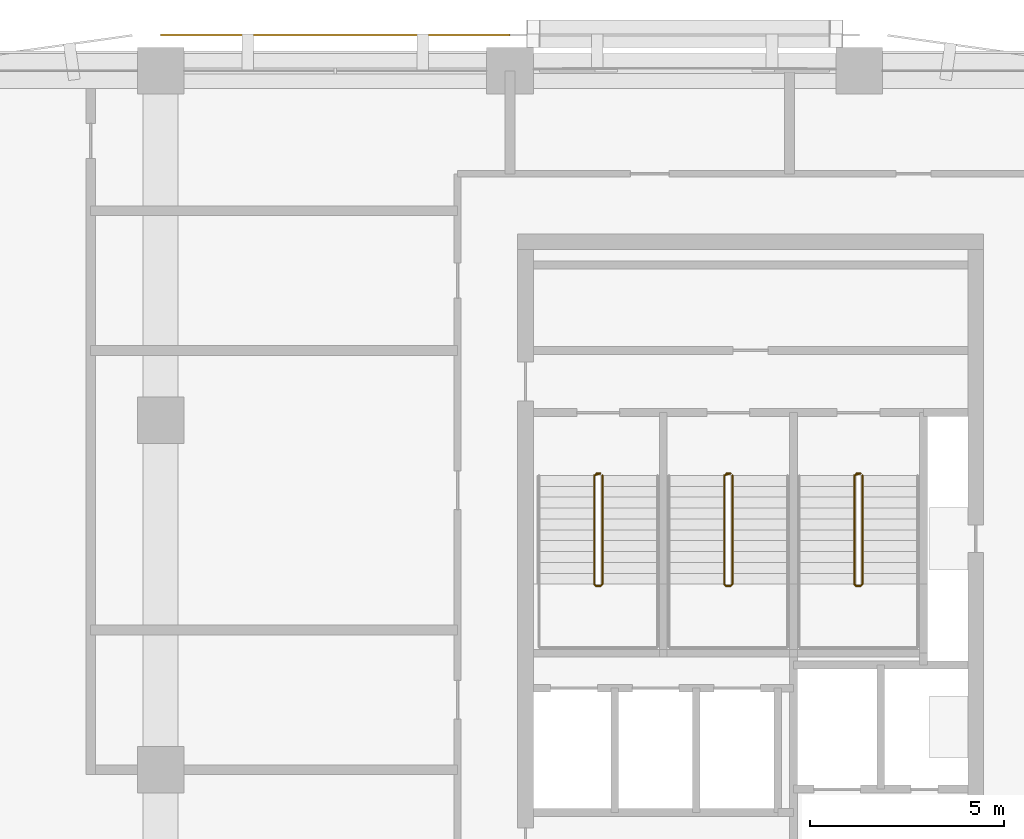
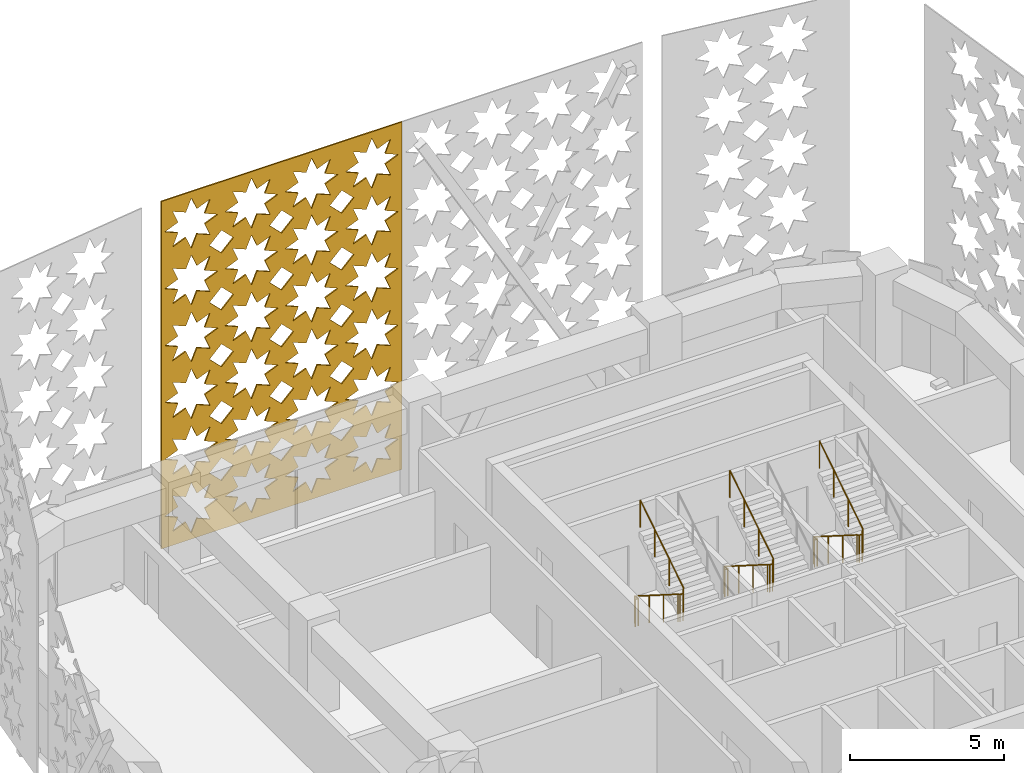
# One storey, part 14 of 17: 3 railings, 1 covering.
"""IFC4 building model written with IfcOpenShell, lengths in metres."""

from ifc_helpers import new_model, si_unit, direction, frame, origin, origin_2d, place, context, subcontext, project, spatial, polyline, circle, outline, extrude, material, layer, layer_set, type_object, element, save


model = new_model("IFC4")

# Units and contexts
model_context = context("Model", 3, precision=1e-05, world=origin(), true_north=direction((0.0, 1.0)))
body_context = subcontext(model_context, "Body", "Model", "MODEL_VIEW")
ifc_project = project(units=[si_unit("LENGTHUNIT", "METRE"), si_unit("AREAUNIT", "SQUARE_METRE"), si_unit("VOLUMEUNIT", "CUBIC_METRE"), si_unit("PLANEANGLEUNIT", "RADIAN"), si_unit("MASSUNIT", "GRAM", prefix="KILO")], contexts=[model_context])

# Site, building, storey
site_placement = place(None, origin())
site = spatial("IfcSite", under=ifc_project, at=site_placement, CompositionType="ELEMENT")
building_placement = place(site_placement, origin())
building = spatial("IfcBuilding", under=site, at=building_placement, Name="Tessera Arch", CompositionType="ELEMENT")
storey_placement = place(building_placement, frame((0.0, 0.0, 281.300048828125)))
storey = spatial("IfcBuildingStorey", under=building, at=storey_placement, Name="L68", CompositionType="ELEMENT", Elevation=281.300048828125)

# Covering
ifc_material_1 = material(Name="Anodised aluminium pale metal", Category="aluminium")
ifc_layer = layer(ifc_material_1, 0.050048828125)
ifc_layer_set = layer_set([ifc_layer], Name="Pierced screen panel straight bay")
covering_type = type_object("IfcCoveringType", Name="Pierced screen panel straight bay", PredefinedType="CLADDING", material=ifc_layer_set)
covering_placement = place(storey_placement, frame((36.0, 54.89990234375, 13.89990234375), z_axis=(0.0, -1.0, 0.0), x_axis=(-1.0, 0.0, 0.0)))
element("IfcCovering", 1, at=covering_placement, inside=storey, type_object=covering_type, Name="SCREEN pierced panel N54.18/2 L68-L70", PredefinedType="CLADDING", context=body_context, shape_type="SweptSolid", body=[
    extrude(outline(polyline([(0.0, 0.0), (9.0, 0.0), (9.0, 13.739990234375), (0.0, 13.739990234375), (0.0, 0.0)]), holes=[polyline([(2.114990234375, 12.494873046875), (1.6240234375, 12.287841796875), (1.824951171875, 11.794921875), (1.33203125, 11.995849609375), (1.125, 11.5048828125), (0.91796875, 11.995849609375), (0.425048828125, 11.794921875), (0.6259765625, 12.287841796875), (0.135009765625, 12.494873046875), (0.6259765625, 12.701904296875), (0.425048828125, 13.195068359375), (0.91796875, 12.993896484375), (1.125, 13.48486328125), (1.33203125, 12.993896484375), (1.824951171875, 13.195068359375), (1.6240234375, 12.701904296875), (2.114990234375, 12.494873046875)]), polyline([(2.114990234375, 10.244873046875), (1.6240234375, 10.037841796875), (1.824951171875, 9.544921875), (1.33203125, 9.745849609375), (1.125, 9.2548828125), (0.91796875, 9.745849609375), (0.425048828125, 9.544921875), (0.6259765625, 10.037841796875), (0.135009765625, 10.244873046875), (0.6259765625, 10.451904296875), (0.425048828125, 10.945068359375), (0.91796875, 10.743896484375), (1.125, 11.23486328125), (1.33203125, 10.743896484375), (1.824951171875, 10.945068359375), (1.6240234375, 10.451904296875), (2.114990234375, 10.244873046875)]), polyline([(2.114990234375, 7.994873046875), (1.6240234375, 7.787841796875), (1.824951171875, 7.294921875), (1.33203125, 7.495849609375), (1.125, 7.0048828125), (0.91796875, 7.495849609375), (0.425048828125, 7.294921875), (0.6259765625, 7.787841796875), (0.135009765625, 7.994873046875), (0.6259765625, 8.201904296875), (0.425048828125, 8.695068359375), (0.91796875, 8.493896484375), (1.125, 8.98486328125), (1.33203125, 8.493896484375), (1.824951171875, 8.695068359375), (1.6240234375, 8.201904296875), (2.114990234375, 7.994873046875)]), polyline([(2.114990234375, 5.744873046875), (1.6240234375, 5.537841796875), (1.824951171875, 5.044921875), (1.33203125, 5.245849609375), (1.125, 4.7548828125), (0.91796875, 5.245849609375), (0.425048828125, 5.044921875), (0.6259765625, 5.537841796875), (0.135009765625, 5.744873046875), (0.6259765625, 5.951904296875), (0.425048828125, 6.445068359375), (0.91796875, 6.243896484375), (1.125, 6.73486328125), (1.33203125, 6.243896484375), (1.824951171875, 6.445068359375), (1.6240234375, 5.951904296875), (2.114990234375, 5.744873046875)]), polyline([(2.114990234375, 3.494873046875), (1.6240234375, 3.287841796875), (1.824951171875, 2.794921875), (1.33203125, 2.995849609375), (1.125, 2.5048828125), (0.91796875, 2.995849609375), (0.425048828125, 2.794921875), (0.6259765625, 3.287841796875), (0.135009765625, 3.494873046875), (0.6259765625, 3.701904296875), (0.425048828125, 4.195068359375), (0.91796875, 3.993896484375), (1.125, 4.48486328125), (1.33203125, 3.993896484375), (1.824951171875, 4.195068359375), (1.6240234375, 3.701904296875), (2.114990234375, 3.494873046875)]), polyline([(2.114990234375, 1.244873046875), (1.6240234375, 1.037841796875), (1.824951171875, 0.544921875), (1.33203125, 0.745849609375), (1.125, 0.2548828125), (0.91796875, 0.745849609375), (0.425048828125, 0.544921875), (0.6259765625, 1.037841796875), (0.135009765625, 1.244873046875), (0.6259765625, 1.451904296875), (0.425048828125, 1.945068359375), (0.91796875, 1.743896484375), (1.125, 2.23486328125), (1.33203125, 1.743896484375), (1.824951171875, 1.945068359375), (1.6240234375, 1.451904296875), (2.114990234375, 1.244873046875)]), polyline([(4.364990234375, 12.494873046875), (3.8740234375, 12.287841796875), (4.074951171875, 11.794921875), (3.58203125, 11.995849609375), (3.375, 11.5048828125), (3.16796875, 11.995849609375), (2.675048828125, 11.794921875), (2.8759765625, 12.287841796875), (2.385009765625, 12.494873046875), (2.8759765625, 12.701904296875), (2.675048828125, 13.195068359375), (3.16796875, 12.993896484375), (3.375, 13.48486328125), (3.58203125, 12.993896484375), (4.074951171875, 13.195068359375), (3.8740234375, 12.701904296875), (4.364990234375, 12.494873046875)]), polyline([(4.364990234375, 10.244873046875), (3.8740234375, 10.037841796875), (4.074951171875, 9.544921875), (3.58203125, 9.745849609375), (3.375, 9.2548828125), (3.16796875, 9.745849609375), (2.675048828125, 9.544921875), (2.8759765625, 10.037841796875), (2.385009765625, 10.244873046875), (2.8759765625, 10.451904296875), (2.675048828125, 10.945068359375), (3.16796875, 10.743896484375), (3.375, 11.23486328125), (3.58203125, 10.743896484375), (4.074951171875, 10.945068359375), (3.8740234375, 10.451904296875), (4.364990234375, 10.244873046875)]), polyline([(4.364990234375, 7.994873046875), (3.8740234375, 7.787841796875), (4.074951171875, 7.294921875), (3.58203125, 7.495849609375), (3.375, 7.0048828125), (3.16796875, 7.495849609375), (2.675048828125, 7.294921875), (2.8759765625, 7.787841796875), (2.385009765625, 7.994873046875), (2.8759765625, 8.201904296875), (2.675048828125, 8.695068359375), (3.16796875, 8.493896484375), (3.375, 8.98486328125), (3.58203125, 8.493896484375), (4.074951171875, 8.695068359375), (3.8740234375, 8.201904296875), (4.364990234375, 7.994873046875)]), polyline([(4.364990234375, 5.744873046875), (3.8740234375, 5.537841796875), (4.074951171875, 5.044921875), (3.58203125, 5.245849609375), (3.375, 4.7548828125), (3.16796875, 5.245849609375), (2.675048828125, 5.044921875), (2.8759765625, 5.537841796875), (2.385009765625, 5.744873046875), (2.8759765625, 5.951904296875), (2.675048828125, 6.445068359375), (3.16796875, 6.243896484375), (3.375, 6.73486328125), (3.58203125, 6.243896484375), (4.074951171875, 6.445068359375), (3.8740234375, 5.951904296875), (4.364990234375, 5.744873046875)]), polyline([(4.364990234375, 3.494873046875), (3.8740234375, 3.287841796875), (4.074951171875, 2.794921875), (3.58203125, 2.995849609375), (3.375, 2.5048828125), (3.16796875, 2.995849609375), (2.675048828125, 2.794921875), (2.8759765625, 3.287841796875), (2.385009765625, 3.494873046875), (2.8759765625, 3.701904296875), (2.675048828125, 4.195068359375), (3.16796875, 3.993896484375), (3.375, 4.48486328125), (3.58203125, 3.993896484375), (4.074951171875, 4.195068359375), (3.8740234375, 3.701904296875), (4.364990234375, 3.494873046875)]), polyline([(4.364990234375, 1.244873046875), (3.8740234375, 1.037841796875), (4.074951171875, 0.544921875), (3.58203125, 0.745849609375), (3.375, 0.2548828125), (3.16796875, 0.745849609375), (2.675048828125, 0.544921875), (2.8759765625, 1.037841796875), (2.385009765625, 1.244873046875), (2.8759765625, 1.451904296875), (2.675048828125, 1.945068359375), (3.16796875, 1.743896484375), (3.375, 2.23486328125), (3.58203125, 1.743896484375), (4.074951171875, 1.945068359375), (3.8740234375, 1.451904296875), (4.364990234375, 1.244873046875)]), polyline([(6.614990234375, 12.494873046875), (6.1240234375, 12.287841796875), (6.324951171875, 11.794921875), (5.83203125, 11.995849609375), (5.625, 11.5048828125), (5.41796875, 11.995849609375), (4.925048828125, 11.794921875), (5.1259765625, 12.287841796875), (4.635009765625, 12.494873046875), (5.1259765625, 12.701904296875), (4.925048828125, 13.195068359375), (5.41796875, 12.993896484375), (5.625, 13.48486328125), (5.83203125, 12.993896484375), (6.324951171875, 13.195068359375), (6.1240234375, 12.701904296875), (6.614990234375, 12.494873046875)]), polyline([(6.614990234375, 10.244873046875), (6.1240234375, 10.037841796875), (6.324951171875, 9.544921875), (5.83203125, 9.745849609375), (5.625, 9.2548828125), (5.41796875, 9.745849609375), (4.925048828125, 9.544921875), (5.1259765625, 10.037841796875), (4.635009765625, 10.244873046875), (5.1259765625, 10.451904296875), (4.925048828125, 10.945068359375), (5.41796875, 10.743896484375), (5.625, 11.23486328125), (5.83203125, 10.743896484375), (6.324951171875, 10.945068359375), (6.1240234375, 10.451904296875), (6.614990234375, 10.244873046875)]), polyline([(6.614990234375, 7.994873046875), (6.1240234375, 7.787841796875), (6.324951171875, 7.294921875), (5.83203125, 7.495849609375), (5.625, 7.0048828125), (5.41796875, 7.495849609375), (4.925048828125, 7.294921875), (5.1259765625, 7.787841796875), (4.635009765625, 7.994873046875), (5.1259765625, 8.201904296875), (4.925048828125, 8.695068359375), (5.41796875, 8.493896484375), (5.625, 8.98486328125), (5.83203125, 8.493896484375), (6.324951171875, 8.695068359375), (6.1240234375, 8.201904296875), (6.614990234375, 7.994873046875)]), polyline([(6.614990234375, 5.744873046875), (6.1240234375, 5.537841796875), (6.324951171875, 5.044921875), (5.83203125, 5.245849609375), (5.625, 4.7548828125), (5.41796875, 5.245849609375), (4.925048828125, 5.044921875), (5.1259765625, 5.537841796875), (4.635009765625, 5.744873046875), (5.1259765625, 5.951904296875), (4.925048828125, 6.445068359375), (5.41796875, 6.243896484375), (5.625, 6.73486328125), (5.83203125, 6.243896484375), (6.324951171875, 6.445068359375), (6.1240234375, 5.951904296875), (6.614990234375, 5.744873046875)]), polyline([(6.614990234375, 3.494873046875), (6.1240234375, 3.287841796875), (6.324951171875, 2.794921875), (5.83203125, 2.995849609375), (5.625, 2.5048828125), (5.41796875, 2.995849609375), (4.925048828125, 2.794921875), (5.1259765625, 3.287841796875), (4.635009765625, 3.494873046875), (5.1259765625, 3.701904296875), (4.925048828125, 4.195068359375), (5.41796875, 3.993896484375), (5.625, 4.48486328125), (5.83203125, 3.993896484375), (6.324951171875, 4.195068359375), (6.1240234375, 3.701904296875), (6.614990234375, 3.494873046875)]), polyline([(6.614990234375, 1.244873046875), (6.1240234375, 1.037841796875), (6.324951171875, 0.544921875), (5.83203125, 0.745849609375), (5.625, 0.2548828125), (5.41796875, 0.745849609375), (4.925048828125, 0.544921875), (5.1259765625, 1.037841796875), (4.635009765625, 1.244873046875), (5.1259765625, 1.451904296875), (4.925048828125, 1.945068359375), (5.41796875, 1.743896484375), (5.625, 2.23486328125), (5.83203125, 1.743896484375), (6.324951171875, 1.945068359375), (6.1240234375, 1.451904296875), (6.614990234375, 1.244873046875)]), polyline([(8.864990234375, 12.494873046875), (8.3740234375, 12.287841796875), (8.574951171875, 11.794921875), (8.08203125, 11.995849609375), (7.875, 11.5048828125), (7.66796875, 11.995849609375), (7.175048828125, 11.794921875), (7.3759765625, 12.287841796875), (6.885009765625, 12.494873046875), (7.3759765625, 12.701904296875), (7.175048828125, 13.195068359375), (7.66796875, 12.993896484375), (7.875, 13.48486328125), (8.08203125, 12.993896484375), (8.574951171875, 13.195068359375), (8.3740234375, 12.701904296875), (8.864990234375, 12.494873046875)]), polyline([(8.864990234375, 10.244873046875), (8.3740234375, 10.037841796875), (8.574951171875, 9.544921875), (8.08203125, 9.745849609375), (7.875, 9.2548828125), (7.66796875, 9.745849609375), (7.175048828125, 9.544921875), (7.3759765625, 10.037841796875), (6.885009765625, 10.244873046875), (7.3759765625, 10.451904296875), (7.175048828125, 10.945068359375), (7.66796875, 10.743896484375), (7.875, 11.23486328125), (8.08203125, 10.743896484375), (8.574951171875, 10.945068359375), (8.3740234375, 10.451904296875), (8.864990234375, 10.244873046875)]), polyline([(8.864990234375, 7.994873046875), (8.3740234375, 7.787841796875), (8.574951171875, 7.294921875), (8.08203125, 7.495849609375), (7.875, 7.0048828125), (7.66796875, 7.495849609375), (7.175048828125, 7.294921875), (7.3759765625, 7.787841796875), (6.885009765625, 7.994873046875), (7.3759765625, 8.201904296875), (7.175048828125, 8.695068359375), (7.66796875, 8.493896484375), (7.875, 8.98486328125), (8.08203125, 8.493896484375), (8.574951171875, 8.695068359375), (8.3740234375, 8.201904296875), (8.864990234375, 7.994873046875)]), polyline([(8.864990234375, 5.744873046875), (8.3740234375, 5.537841796875), (8.574951171875, 5.044921875), (8.08203125, 5.245849609375), (7.875, 4.7548828125), (7.66796875, 5.245849609375), (7.175048828125, 5.044921875), (7.3759765625, 5.537841796875), (6.885009765625, 5.744873046875), (7.3759765625, 5.951904296875), (7.175048828125, 6.445068359375), (7.66796875, 6.243896484375), (7.875, 6.73486328125), (8.08203125, 6.243896484375), (8.574951171875, 6.445068359375), (8.3740234375, 5.951904296875), (8.864990234375, 5.744873046875)]), polyline([(8.864990234375, 3.494873046875), (8.3740234375, 3.287841796875), (8.574951171875, 2.794921875), (8.08203125, 2.995849609375), (7.875, 2.5048828125), (7.66796875, 2.995849609375), (7.175048828125, 2.794921875), (7.3759765625, 3.287841796875), (6.885009765625, 3.494873046875), (7.3759765625, 3.701904296875), (7.175048828125, 4.195068359375), (7.66796875, 3.993896484375), (7.875, 4.48486328125), (8.08203125, 3.993896484375), (8.574951171875, 4.195068359375), (8.3740234375, 3.701904296875), (8.864990234375, 3.494873046875)]), polyline([(8.864990234375, 1.244873046875), (8.3740234375, 1.037841796875), (8.574951171875, 0.544921875), (8.08203125, 0.745849609375), (7.875, 0.2548828125), (7.66796875, 0.745849609375), (7.175048828125, 0.544921875), (7.3759765625, 1.037841796875), (6.885009765625, 1.244873046875), (7.3759765625, 1.451904296875), (7.175048828125, 1.945068359375), (7.66796875, 1.743896484375), (7.875, 2.23486328125), (8.08203125, 1.743896484375), (8.574951171875, 1.945068359375), (8.3740234375, 1.451904296875), (8.864990234375, 1.244873046875)]), polyline([(2.699951171875, 11.369873046875), (2.25, 10.919921875), (1.800048828125, 11.369873046875), (2.25, 11.820068359375), (2.699951171875, 11.369873046875)]), polyline([(2.699951171875, 9.119873046875), (2.25, 8.669921875), (1.800048828125, 9.119873046875), (2.25, 9.570068359375), (2.699951171875, 9.119873046875)]), polyline([(2.699951171875, 6.869873046875), (2.25, 6.419921875), (1.800048828125, 6.869873046875), (2.25, 7.320068359375), (2.699951171875, 6.869873046875)]), polyline([(2.699951171875, 4.619873046875), (2.25, 4.169921875), (1.800048828125, 4.619873046875), (2.25, 5.070068359375), (2.699951171875, 4.619873046875)]), polyline([(2.699951171875, 2.369873046875), (2.25, 1.919921875), (1.800048828125, 2.369873046875), (2.25, 2.820068359375), (2.699951171875, 2.369873046875)]), polyline([(4.949951171875, 11.369873046875), (4.5, 10.919921875), (4.050048828125, 11.369873046875), (4.5, 11.820068359375), (4.949951171875, 11.369873046875)]), polyline([(4.949951171875, 9.119873046875), (4.5, 8.669921875), (4.050048828125, 9.119873046875), (4.5, 9.570068359375), (4.949951171875, 9.119873046875)]), polyline([(4.949951171875, 6.869873046875), (4.5, 6.419921875), (4.050048828125, 6.869873046875), (4.5, 7.320068359375), (4.949951171875, 6.869873046875)]), polyline([(4.949951171875, 4.619873046875), (4.5, 4.169921875), (4.050048828125, 4.619873046875), (4.5, 5.070068359375), (4.949951171875, 4.619873046875)]), polyline([(4.949951171875, 2.369873046875), (4.5, 1.919921875), (4.050048828125, 2.369873046875), (4.5, 2.820068359375), (4.949951171875, 2.369873046875)]), polyline([(7.199951171875, 11.369873046875), (6.75, 10.919921875), (6.300048828125, 11.369873046875), (6.75, 11.820068359375), (7.199951171875, 11.369873046875)]), polyline([(7.199951171875, 9.119873046875), (6.75, 8.669921875), (6.300048828125, 9.119873046875), (6.75, 9.570068359375), (7.199951171875, 9.119873046875)]), polyline([(7.199951171875, 6.869873046875), (6.75, 6.419921875), (6.300048828125, 6.869873046875), (6.75, 7.320068359375), (7.199951171875, 6.869873046875)]), polyline([(7.199951171875, 4.619873046875), (6.75, 4.169921875), (6.300048828125, 4.619873046875), (6.75, 5.070068359375), (7.199951171875, 4.619873046875)]), polyline([(7.199951171875, 2.369873046875), (6.75, 1.919921875), (6.300048828125, 2.369873046875), (6.75, 2.820068359375), (7.199951171875, 2.369873046875)])]), origin(), (0.0, 0.0, -1.0), 0.050048828125),
])

# Railings
ifc_material_2 = material(Name="Painted steel balustrade", Category="steel")
railing_type = type_object("IfcRailingType", Name="Stair guard 1100", PredefinedType="GUARDRAIL", material=ifc_material_2)
railing_1_placement = place(storey_placement, frame((38.219970703125, 43.6298828125, 0.0)))
element("IfcRailing", 2, at=railing_1_placement, inside=storey, type_object=railing_type, Name="L68 S1a stair guard 1", PredefinedType="GUARDRAIL", context=body_context, shape_type="SweptSolid", body=[
    extrude(circle(Radius=0.02392578125, at=origin_2d()), frame((-0.00390625, 0.0, 1.076171875), z_axis=(1.0, 0.0, 0.0), x_axis=(0.0, 1.0, 0.0)), (0.0, 0.0, 1.0), 0.1181640625),
    extrude(circle(Radius=0.02392578125, at=origin_2d()), frame((0.11279296875, 0.000732421875, 1.0732421875), z_axis=(-0.656319048605, -0.204099216335, 0.726353093426), x_axis=(0.296948579431, -0.954893471113, 0.0)), (0.0, 0.0, 1.0), 0.251953125),
    extrude(circle(Radius=0.02392578125, at=origin_2d()), frame((-0.050048828125, -0.04638671875, 1.251220703125), z_axis=(0.0, -0.844908973607, 0.534910110503), x_axis=(1.0, 0.0, 0.0)), (0.0, 0.0, 1.0), 3.322021484375),
    extrude(circle(Radius=0.02392578125, at=origin_2d()), frame((-0.052978515625, -2.846923828125, 3.02587890625), z_axis=(0.707106781187, -0.707106781187, 0.0), x_axis=(0.707106781187, 0.707106781187, 0.0)), (0.0, 0.0, 1.0), 0.078857421875),
    extrude(circle(Radius=0.02392578125, at=origin_2d()), frame((-0.00390625, -2.89990234375, 3.02587890625), z_axis=(1.0, 0.0, 0.0), x_axis=(0.0, 1.0, 0.0)), (0.0, 0.0, 1.0), 0.1181640625),
    extrude(circle(Radius=0.02392578125, at=origin_2d()), frame((0.109130859375, -2.90087890625, 3.022216796875), z_axis=(0.261041864531, 0.262321481514, 0.929001929653), x_axis=(-0.708833529934, 0.705375805398, 0.0)), (0.0, 0.0, 1.0), 0.19873046875),
    extrude(circle(Radius=0.02392578125, at=origin_2d()), frame((0.159912109375, -2.853271484375, 3.201171875), z_axis=(0.0, 0.844908973607, 0.534910110503), x_axis=(-1.0, 0.0, 0.0)), (0.0, 0.0, 1.0), 3.322021484375),
    extrude(circle(Radius=0.02099609375, at=origin_2d()), origin(), (0.0, 0.0, 1.0), 1.06396484375),
    extrude(circle(Radius=0.02099609375, at=origin_2d()), frame((0.110107421875, 0.0, 0.0)), (0.0, 0.0, 1.0), 1.06396484375),
    extrude(circle(Radius=0.02099609375, at=origin_2d()), frame((-0.050048828125, -0.0498046875, 0.17724609375)), (0.0, 0.0, 1.0), 1.06396484375),
    extrude(circle(Radius=0.02099609375, at=origin_2d()), frame((-0.050048828125, -0.983154296875, 0.76806640625)), (0.0, 0.0, 1.0), 1.06396484375),
    extrude(circle(Radius=0.02099609375, at=origin_2d()), frame((-0.050048828125, -1.91650390625, 1.359130859375)), (0.0, 0.0, 1.0), 1.06396484375),
    extrude(circle(Radius=0.02099609375, at=origin_2d()), frame((-0.050048828125, -2.849853515625, 1.949951171875)), (0.0, 0.0, 1.0), 1.06396484375),
    extrude(circle(Radius=0.02099609375, at=origin_2d()), frame((0.0, -2.89990234375, 1.949951171875)), (0.0, 0.0, 1.0), 1.06396484375),
    extrude(circle(Radius=0.02099609375, at=origin_2d()), frame((0.110107421875, -2.89990234375, 1.949951171875)), (0.0, 0.0, 1.0), 1.06396484375),
    extrude(circle(Radius=0.02099609375, at=origin_2d()), frame((0.159912109375, -2.849853515625, 2.127197265625)), (0.0, 0.0, 1.0), 1.06396484375),
    extrude(circle(Radius=0.02099609375, at=origin_2d()), frame((0.159912109375, -1.91650390625, 2.718017578125)), (0.0, 0.0, 1.0), 1.06396484375),
    extrude(circle(Radius=0.02099609375, at=origin_2d()), frame((0.159912109375, -0.983154296875, 3.30908203125)), (0.0, 0.0, 1.0), 1.06396484375),
    extrude(circle(Radius=0.02099609375, at=origin_2d()), frame((0.159912109375, -0.0498046875, 3.89990234375)), (0.0, 0.0, 1.0), 1.06396484375),
])
railing_2_placement = place(storey_placement, frame((41.570068359375, 43.6298828125, 0.0)))
element("IfcRailing", 3, at=railing_2_placement, inside=storey, type_object=railing_type, Name="L68 S1b stair guard 1", PredefinedType="GUARDRAIL", context=body_context, shape_type="SweptSolid", body=[
    extrude(circle(Radius=0.02392578125, at=origin_2d()), frame((-0.00390625, 0.0, 1.076171875), z_axis=(1.0, 0.0, 0.0), x_axis=(0.0, 1.0, 0.0)), (0.0, 0.0, 1.0), 0.117919921875),
    extrude(circle(Radius=0.02392578125, at=origin_2d()), frame((0.112548828125, 0.000732421875, 1.0732421875), z_axis=(-0.65574896516, -0.204233265485, 0.726830150696), x_axis=(0.297361876254, -0.954764847777, 0.0)), (0.0, 0.0, 1.0), 0.251953125),
    extrude(circle(Radius=0.02392578125, at=origin_2d()), frame((-0.050048828125, -0.04638671875, 1.251220703125), z_axis=(0.0, -0.844908973607, 0.534910110503), x_axis=(1.0, 0.0, 0.0)), (0.0, 0.0, 1.0), 3.322021484375),
    extrude(circle(Radius=0.02392578125, at=origin_2d()), frame((-0.052978515625, -2.846923828125, 3.02587890625), z_axis=(0.707106781187, -0.707106781187, 0.0), x_axis=(0.707106781187, 0.707106781187, 0.0)), (0.0, 0.0, 1.0), 0.078857421875),
    extrude(circle(Radius=0.02392578125, at=origin_2d()), frame((-0.00390625, -2.89990234375, 3.02587890625), z_axis=(1.0, 0.0, 0.0), x_axis=(0.0, 1.0, 0.0)), (0.0, 0.0, 1.0), 0.117919921875),
    extrude(circle(Radius=0.02392578125, at=origin_2d()), frame((0.10888671875, -2.90087890625, 3.022216796875), z_axis=(0.262233686654, 0.262233686654, 0.928691007369), x_axis=(-0.707106781187, 0.707106781187, 0.0)), (0.0, 0.0, 1.0), 0.198974609375),
    extrude(circle(Radius=0.02392578125, at=origin_2d()), frame((0.159912109375, -2.853271484375, 3.201171875), z_axis=(0.0, 0.844908973607, 0.534910110503), x_axis=(-1.0, 0.0, 0.0)), (0.0, 0.0, 1.0), 3.322021484375),
    extrude(circle(Radius=0.02099609375, at=origin_2d()), origin(), (0.0, 0.0, 1.0), 1.06396484375),
    extrude(circle(Radius=0.02099609375, at=origin_2d()), frame((0.10986328125, 0.0, 0.0)), (0.0, 0.0, 1.0), 1.06396484375),
    extrude(circle(Radius=0.02099609375, at=origin_2d()), frame((-0.050048828125, -0.0498046875, 0.17724609375)), (0.0, 0.0, 1.0), 1.06396484375),
    extrude(circle(Radius=0.02099609375, at=origin_2d()), frame((-0.050048828125, -0.983154296875, 0.76806640625)), (0.0, 0.0, 1.0), 1.06396484375),
    extrude(circle(Radius=0.02099609375, at=origin_2d()), frame((-0.050048828125, -1.91650390625, 1.359130859375)), (0.0, 0.0, 1.0), 1.06396484375),
    extrude(circle(Radius=0.02099609375, at=origin_2d()), frame((-0.050048828125, -2.849853515625, 1.949951171875)), (0.0, 0.0, 1.0), 1.06396484375),
    extrude(circle(Radius=0.02099609375, at=origin_2d()), frame((0.0, -2.89990234375, 1.949951171875)), (0.0, 0.0, 1.0), 1.06396484375),
    extrude(circle(Radius=0.02099609375, at=origin_2d()), frame((0.10986328125, -2.89990234375, 1.949951171875)), (0.0, 0.0, 1.0), 1.06396484375),
    extrude(circle(Radius=0.02099609375, at=origin_2d()), frame((0.159912109375, -2.849853515625, 2.127197265625)), (0.0, 0.0, 1.0), 1.06396484375),
    extrude(circle(Radius=0.02099609375, at=origin_2d()), frame((0.159912109375, -1.91650390625, 2.718017578125)), (0.0, 0.0, 1.0), 1.06396484375),
    extrude(circle(Radius=0.02099609375, at=origin_2d()), frame((0.159912109375, -0.983154296875, 3.30908203125)), (0.0, 0.0, 1.0), 1.06396484375),
    extrude(circle(Radius=0.02099609375, at=origin_2d()), frame((0.159912109375, -0.0498046875, 3.89990234375)), (0.0, 0.0, 1.0), 1.06396484375),
])
railing_3_placement = place(storey_placement, frame((44.919921875, 43.6298828125, 0.0)))
element("IfcRailing", 4, at=railing_3_placement, inside=storey, type_object=railing_type, Name="L68 S1c stair guard 1", PredefinedType="GUARDRAIL", context=body_context, shape_type="SweptSolid", body=[
    extrude(circle(Radius=0.02392578125, at=origin_2d()), frame((-0.00390625, 0.0, 1.076171875), z_axis=(1.0, 0.0, 0.0), x_axis=(0.0, 1.0, 0.0)), (0.0, 0.0, 1.0), 0.1181640625),
    extrude(circle(Radius=0.02392578125, at=origin_2d()), frame((0.11279296875, 0.000732421875, 1.0732421875), z_axis=(-0.65574896516, -0.204233265485, 0.726830150696), x_axis=(0.297361876254, -0.954764847777, 0.0)), (0.0, 0.0, 1.0), 0.251953125),
    extrude(circle(Radius=0.02392578125, at=origin_2d()), frame((-0.0498046875, -0.04638671875, 1.251220703125), z_axis=(0.0, -0.844908973607, 0.534910110503), x_axis=(1.0, 0.0, 0.0)), (0.0, 0.0, 1.0), 3.322021484375),
    extrude(circle(Radius=0.02392578125, at=origin_2d()), frame((-0.052734375, -2.846923828125, 3.02587890625), z_axis=(0.705375805398, -0.708833529934, 0.0), x_axis=(0.708833529934, 0.705375805398, 0.0)), (0.0, 0.0, 1.0), 0.07861328125),
    extrude(circle(Radius=0.02392578125, at=origin_2d()), frame((-0.00390625, -2.89990234375, 3.02587890625), z_axis=(1.0, 0.0, 0.0), x_axis=(0.0, 1.0, 0.0)), (0.0, 0.0, 1.0), 0.1181640625),
    extrude(circle(Radius=0.02392578125, at=origin_2d()), frame((0.109130859375, -2.90087890625, 3.022216796875), z_axis=(0.262233686654, 0.262233686654, 0.928691007369), x_axis=(-0.707106781187, 0.707106781187, 0.0)), (0.0, 0.0, 1.0), 0.198974609375),
    extrude(circle(Radius=0.02392578125, at=origin_2d()), frame((0.16015625, -2.853271484375, 3.201171875), z_axis=(0.0, 0.844908973607, 0.534910110503), x_axis=(-1.0, 0.0, 0.0)), (0.0, 0.0, 1.0), 3.322021484375),
    extrude(circle(Radius=0.02099609375, at=origin_2d()), origin(), (0.0, 0.0, 1.0), 1.06396484375),
    extrude(circle(Radius=0.02099609375, at=origin_2d()), frame((0.110107421875, 0.0, 0.0)), (0.0, 0.0, 1.0), 1.06396484375),
    extrude(circle(Radius=0.02099609375, at=origin_2d()), frame((-0.0498046875, -0.0498046875, 0.17724609375)), (0.0, 0.0, 1.0), 1.06396484375),
    extrude(circle(Radius=0.02099609375, at=origin_2d()), frame((-0.0498046875, -0.983154296875, 0.76806640625)), (0.0, 0.0, 1.0), 1.06396484375),
    extrude(circle(Radius=0.02099609375, at=origin_2d()), frame((-0.0498046875, -1.91650390625, 1.359130859375)), (0.0, 0.0, 1.0), 1.06396484375),
    extrude(circle(Radius=0.02099609375, at=origin_2d()), frame((-0.0498046875, -2.849853515625, 1.949951171875)), (0.0, 0.0, 1.0), 1.06396484375),
    extrude(circle(Radius=0.02099609375, at=origin_2d()), frame((0.0, -2.89990234375, 1.949951171875)), (0.0, 0.0, 1.0), 1.06396484375),
    extrude(circle(Radius=0.02099609375, at=origin_2d()), frame((0.110107421875, -2.89990234375, 1.949951171875)), (0.0, 0.0, 1.0), 1.06396484375),
    extrude(circle(Radius=0.02099609375, at=origin_2d()), frame((0.16015625, -2.849853515625, 2.127197265625)), (0.0, 0.0, 1.0), 1.06396484375),
    extrude(circle(Radius=0.02099609375, at=origin_2d()), frame((0.16015625, -1.91650390625, 2.718017578125)), (0.0, 0.0, 1.0), 1.06396484375),
    extrude(circle(Radius=0.02099609375, at=origin_2d()), frame((0.16015625, -0.983154296875, 3.30908203125)), (0.0, 0.0, 1.0), 1.06396484375),
    extrude(circle(Radius=0.02099609375, at=origin_2d()), frame((0.16015625, -0.0498046875, 3.89990234375)), (0.0, 0.0, 1.0), 1.06396484375),
])

save(model, "model.ifc")
